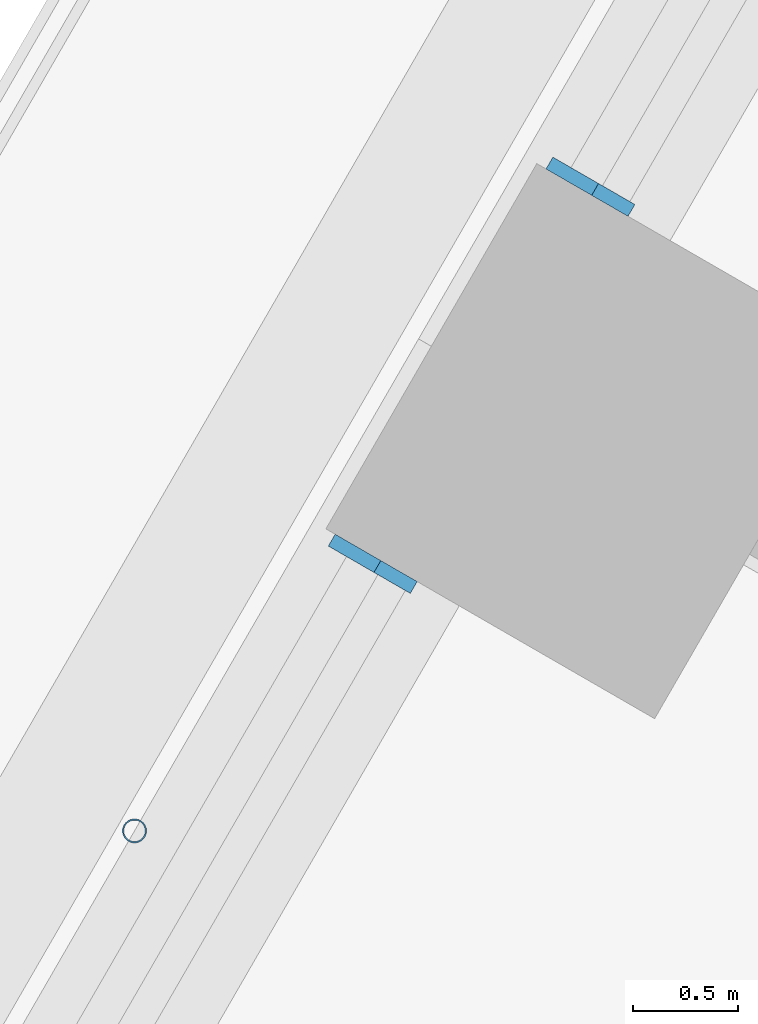
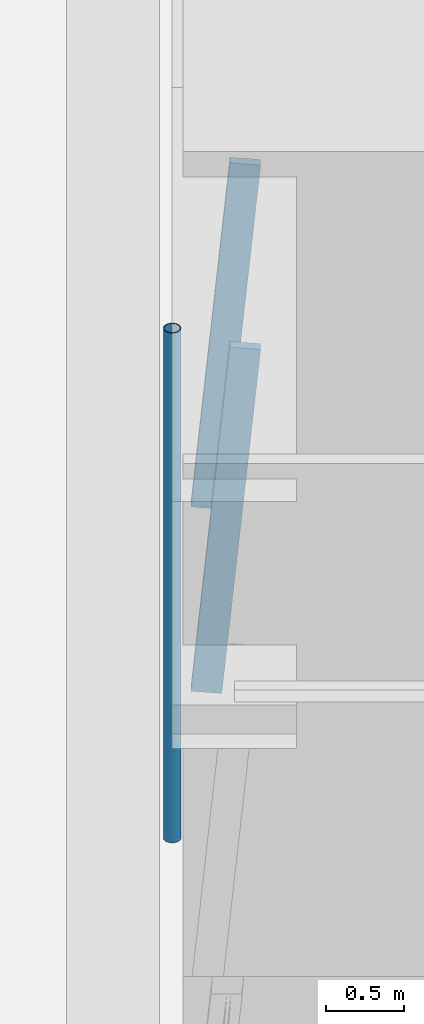
# One storey, part 7 of 23: 3 members, 2 elements without a shape of their own.
"""IFC4 building model written with IfcOpenShell, lengths in metres."""

from ifc_helpers import new_model, si_unit, direction, frame, origin, origin_2d, place, context, subcontext, project, spatial, rectangle, hollow_circle, extrude, material, material_profile, profile_set, type_object, element, aggregate, save


model = new_model("IFC4")

# Units and contexts
model_context = context("Model", 3, precision=1e-05, world=origin(), true_north=direction((0.0, 1.0)))
body_context = subcontext(model_context, "Body", "Model", "MODEL_VIEW")
ifc_project = project(units=[si_unit("LENGTHUNIT", "METRE"), si_unit("AREAUNIT", "SQUARE_METRE"), si_unit("VOLUMEUNIT", "CUBIC_METRE"), si_unit("PLANEANGLEUNIT", "RADIAN"), si_unit("MASSUNIT", "GRAM", prefix="KILO")], contexts=[model_context])

# Site, building, storey
site_placement = place(None, origin())
site = spatial("IfcSite", under=ifc_project, at=site_placement, CompositionType="ELEMENT")
building_placement = place(site_placement, origin())
building = spatial("IfcBuilding", under=site, at=building_placement, Name="Tarfa Lantern Tower", CompositionType="ELEMENT")
storey_placement = place(building_placement, frame((0.0, 0.0, 44.5)))
storey = spatial("IfcBuildingStorey", under=building, at=storey_placement, Name="L09", CompositionType="ELEMENT", Elevation=44.5)

# Curtain wall, member
ifc_material_1 = material(Name="Aluminium framed curtain wall", Category="aluminium")
curtain_wall_type = type_object("IfcCurtainWallType", Name="CW1 CANTED GLAZING LOW ZONE 2700", PredefinedType="USERDEFINED", material=ifc_material_1)
curtain_wall_1_placement = place(storey_placement, origin())
curtain_wall_1 = element("IfcCurtainWall", 1, at=curtain_wall_1_placement, inside=storey, type_object=curtain_wall_type, Name="CW1 NW L09", ObjectType="CURTAIN WALL", PredefinedType="USERDEFINED")
ifc_material_2 = material(Name="Aluminium mullion", Category="aluminium")
ifc_material_profile_1 = material_profile(ifc_material_2, rectangle(XDim=0.06494140625, YDim=0.199951171875, at=origin_2d()), Name="AL MULLION 65x200")
ifc_profile_set_1 = profile_set([ifc_material_profile_1], Name="Aluminium mullion")
member_type_1 = type_object("IfcMemberType", Name="CWM1 MULLION 65x200", PredefinedType="MULLION", material=ifc_profile_set_1)
member_1_placement = place(storey_placement, frame((-31.536376953125, 13.177490234375, 0.0), z_axis=(0.07986442134, -0.046099868913, 0.99573916077), x_axis=(0.499919672301, 0.866071776036, 0.0)))
member_1 = element("IfcMember", 2, at=member_1_placement, type_object=member_type_1, Name="CW1 mullion 2", PredefinedType="MULLION", context=body_context, shape_type="SweptSolid", body=[
    extrude(rectangle(XDim=0.06494140625, YDim=0.199951171875, at=origin_2d()), origin(), (0.0, 0.0, 1.0), 2.71142578125),
])
aggregate(curtain_wall_1, [member_1])

curtain_wall_2_placement = place(storey_placement, origin())
curtain_wall_2 = element("IfcCurtainWall", 3, at=curtain_wall_2_placement, inside=storey, type_object=curtain_wall_type, Name="CW1 NW L09", ObjectType="CURTAIN WALL", PredefinedType="USERDEFINED")
member_2_placement = place(storey_placement, frame((-32.56884765625, 11.38916015625, 0.0), z_axis=(0.07986442134, -0.046099868913, 0.99573916077), x_axis=(0.499919672301, 0.866071776036, 0.0)))
member_2 = element("IfcMember", 4, at=member_2_placement, type_object=member_type_1, Name="CW1 mullion 1", PredefinedType="MULLION", context=body_context, shape_type="SweptSolid", body=[
    extrude(rectangle(XDim=0.06494140625, YDim=0.199951171875, at=origin_2d()), origin(), (0.0, 0.0, 1.0), 2.71142578125),
])
aggregate(curtain_wall_2, [member_2])

# Member
ifc_material_3 = material(Name="Steel S355", Category="steel")
ifc_material_profile_2 = material_profile(ifc_material_3, hollow_circle(Radius=0.05712890625, WallThickness=0.00634765625, at=origin_2d()), Name="CHS114.3x6.3")
ifc_profile_set_2 = profile_set([ifc_material_profile_2], Name="Steel S355")
member_type_2 = type_object("IfcMemberType", Name="TR1 GREEN WALL TRELLIS CHS114.3x6.3", PredefinedType="USERDEFINED", material=ifc_profile_set_2)
member_3_placement = place(storey_placement, frame((-33.59033203125, 10.06005859375, 0.0), z_axis=(0.0, 0.0, 1.0), x_axis=(1.0, 0.0, 0.0)))
element("IfcMember", 5, at=member_3_placement, inside=storey, type_object=member_type_2, Name="Trellis post NW 2", ObjectType="TRELLIS", PredefinedType="USERDEFINED", context=body_context, shape_type="SweptSolid", body=[
    extrude(hollow_circle(Radius=0.05712890625, WallThickness=0.00634765625, at=origin_2d()), origin(), (0.0, 0.0, 1.0), 4.0),
])

save(model, "model.ifc")
